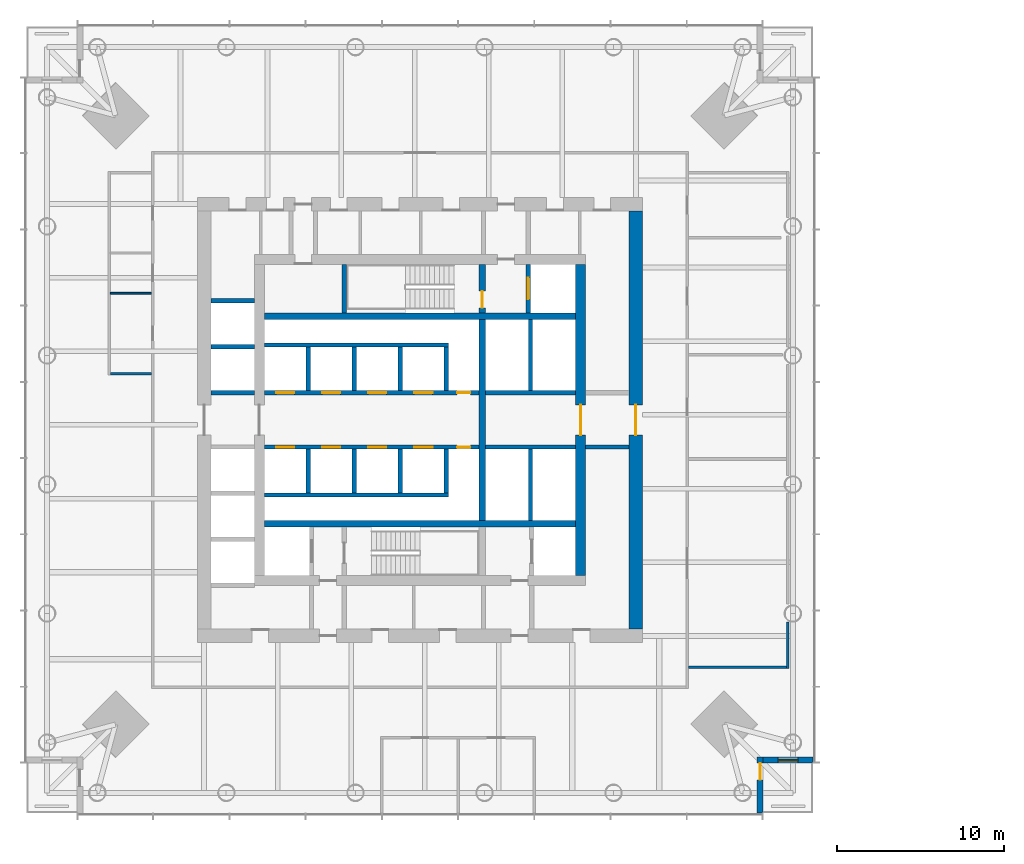
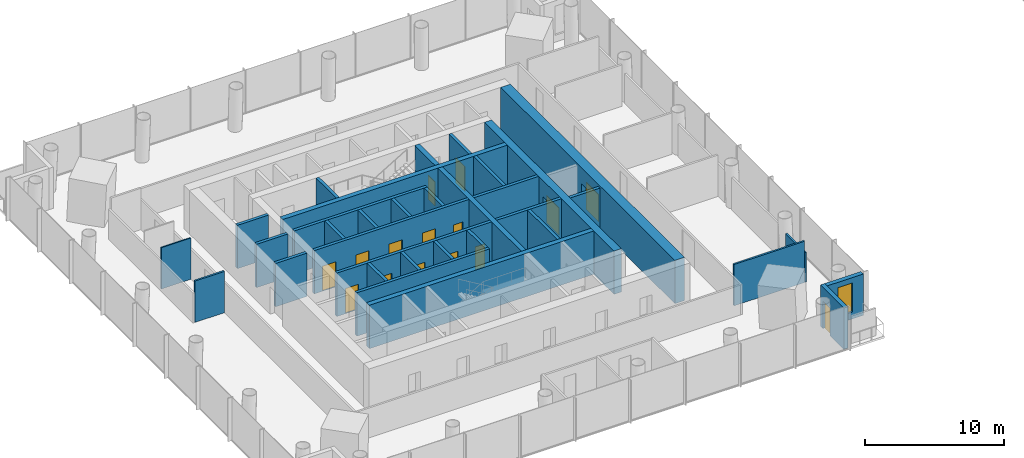
# One storey, part 10 of 18: 34 walls, 15 doors, 1 window, 16 openings.
"""IFC4 building model written with IfcOpenShell, lengths in metres."""

from ifc_helpers import new_model, si_unit, direction, frame, frame_2d, origin, place, context, subcontext, project, spatial, rectangle, extrude, material, layer, layer_set, type_object, element, fill, save


model = new_model("IFC4")

# Units and contexts
model_context = context("Model", 3, precision=1e-05, world=origin(), true_north=direction((0.0, 1.0)))
body_context = subcontext(model_context, "Body", "Model", "MODEL_VIEW")
ifc_project = project(units=[si_unit("LENGTHUNIT", "METRE"), si_unit("AREAUNIT", "SQUARE_METRE"), si_unit("VOLUMEUNIT", "CUBIC_METRE"), si_unit("PLANEANGLEUNIT", "RADIAN"), si_unit("MASSUNIT", "GRAM", prefix="KILO")], contexts=[model_context])

# Site, building, storey
site_placement = place(None, origin())
site = spatial("IfcSite", under=ifc_project, at=site_placement, CompositionType="ELEMENT")
building_placement = place(site_placement, origin())
building = spatial("IfcBuilding", under=site, at=building_placement, Name="Ostroluk Exchange", CompositionType="ELEMENT")
storey_placement = place(building_placement, frame((0.0, 0.0, 74.199951171875)))
storey = spatial("IfcBuildingStorey", under=building, at=storey_placement, Name="L18", CompositionType="ELEMENT", Elevation=74.199951171875)

# Walls
ifc_material_1 = material(Name="Concrete blockwork", Category="masonry")
ifc_layer_1 = layer(ifc_material_1, 0.10009765625)
ifc_layer_set_1 = layer_set([ifc_layer_1], Name="Blockwork WC wall 100")
wall_type_1 = type_object("IfcWallType", Name="Blockwork WC wall 100", PredefinedType="SOLIDWALL", material=ifc_layer_set_1)
wall_1_placement = place(storey_placement, frame((28.949951171875, 53.574951171875, 0.0), z_axis=(0.0, 0.0, 1.0), x_axis=(-1.0, 0.0, 0.0)))
element("IfcWall", 1, at=wall_1_placement, inside=storey, type_object=wall_type_1, Name="Blockwork WC wall", PredefinedType="SOLIDWALL", context=body_context, shape_type="SweptSolid", body=[
    extrude(rectangle(XDim=2.449951171875, YDim=0.10009765625, at=frame_2d((1.22509765625, 0.0))), origin(), (0.0, 0.0, 1.0), 3.6201171875),
])
ifc_material_2 = material(Name="Concrete blockwork", Category="masonry")
ifc_layer_2 = layer(ifc_material_2, 0.25)
ifc_layer_set_2 = layer_set([ifc_layer_2], Name="Blockwork stair enclosure wall 250")
wall_type_2 = type_object("IfcWallType", Name="Blockwork stair enclosure wall 250", PredefinedType="SOLIDWALL", material=ifc_layer_set_2)
wall_2_placement = place(storey_placement, frame((54.89990234375, 44.375, 0.0), z_axis=(0.0, 0.0, 1.0), x_axis=(1.0, 0.0, 0.0)))
element("IfcWall", 2, at=wall_2_placement, inside=storey, type_object=wall_type_2, Name="Lift lobby enclosure wall", PredefinedType="SOLIDWALL", context=body_context, shape_type="SweptSolid", body=[
    extrude(rectangle(XDim=2.60009765625, YDim=0.25, at=frame_2d((1.300048828125, 0.0))), origin(), (0.0, 0.0, 1.0), 3.6201171875),
])
ifc_material_3 = material(Name="Concrete C50/60", Category="concrete")
ifc_layer_3 = layer(ifc_material_3, 0.39990234375)
ifc_layer_set_3 = layer_set([ifc_layer_3], Name="Core cross wall 400 C50/60")
wall_type_3 = type_object("IfcWallType", Name="Core cross wall 400 C50/60", PredefinedType="SHEAR", material=ifc_layer_set_3)
for number, where, z_axis, x_axis, name in (
    (3, (35.699951171875, 39.800048828125, 0.0), (0.0, 0.0, 1.0), (1.0, 0.0, 0.0), "T1 core wall XS"),
    (4, (35.699951171875, 52.199951171875, 0.0), (0.0, 0.0, 1.0), (1.0, 0.0, 0.0), "T1 core wall XN"),
):
    element("IfcWall", number, at=place(storey_placement, frame(where, z_axis=z_axis, x_axis=x_axis)), inside=storey, type_object=wall_type_3, Name=name, PredefinedType="SHEAR", context=body_context, shape_type="SweptSolid", body=[
        extrude(rectangle(XDim=18.60009765625, YDim=0.39990234375, at=frame_2d((9.300048828125, 0.0))), origin(), (0.0, 0.0, 1.0), 3.800048828125),
    ])
wall_3_placement = place(storey_placement, frame((48.72998046875, 40.0, 0.0), z_axis=(0.0, 0.0, 1.0), x_axis=(0.0, 1.0, 0.0)))
element("IfcWall", 5, at=wall_3_placement, inside=storey, type_object=wall_type_3, Name="T1 core wall YE2", PredefinedType="SHEAR", context=body_context, shape_type="SweptSolid", body=[
    extrude(rectangle(XDim=12.0, YDim=0.39990234375, at=frame_2d((6.0, 0.0))), origin(), (0.0, 0.0, 1.0), 3.800048828125),
])

# Wall, opening, door
wall_4_placement = place(storey_placement, frame((48.72998046875, 52.39990234375, 0.0), z_axis=(0.0, 0.0, 1.0), x_axis=(0.0, 1.0, 0.0)))
wall_4 = element("IfcWall", 6, at=wall_4_placement, inside=storey, type_object=wall_type_3, Name="T1 core wall YE3", PredefinedType="SHEAR", context=body_context, shape_type="SweptSolid", body=[
    extrude(rectangle(XDim=2.900146484375, YDim=0.39990234375, at=frame_2d((1.4501953125, 0.0))), origin(), (0.0, 0.0, 1.0), 3.800048828125),
])
opening_1_placement = place(wall_4_placement, frame((0.300048828125, 0.0, 0.0)))
opening_1 = element("IfcOpeningElement", 7, at=opening_1_placement, cuts=wall_4, Name="Opening FD60", PredefinedType="OPENING", context=body_context, shape_type="SweptSolid", body=[
    extrude(rectangle(XDim=1.0, YDim=2.10009765625, at=frame_2d((0.5, 1.050048828125))), frame((0.0, 0.2099609375, 0.0), z_axis=(0.0, -1.0, 0.0), x_axis=(1.0, 0.0, 0.0)), (0.0, 0.0, 1.0), 0.419921875),
])
ifc_material_4 = material(Name="Steel", Category="steel")
door_type_1 = type_object("IfcDoorType", Name="Fire door EI 60 1000 x 2100", OperationType="SINGLE_SWING_LEFT", PredefinedType="DOOR", material=ifc_material_4)
door_1_placement = place(opening_1_placement, origin())
door_1 = element("IfcDoor", 8, at=door_1_placement, inside=storey, type_object=door_type_1, Name="Stair T1-S2 door", OperationType="SINGLE_SWING_LEFT", OverallHeight=2.10009765625, OverallWidth=1.0, PredefinedType="DOOR", context=body_context, shape_type="SweptSolid", body=[
    extrude(rectangle(XDim=1.0, YDim=2.10009765625, at=frame_2d((0.5, 1.050048828125))), frame((0.0, 0.02490234375, 0.0), z_axis=(0.0, -1.0, 0.0), x_axis=(1.0, 0.0, 0.0)), (0.0, 0.0, 1.0), 0.050048828125),
])
fill(opening_1, door_1)

# Wall
ifc_material_5 = material(Name="Concrete C40/50", Category="concrete")
ifc_layer_4 = layer(ifc_material_5, 0.25)
ifc_layer_set_4 = layer_set([ifc_layer_4], Name="Core shaft wall 250")
wall_type_4 = type_object("IfcWallType", Name="Core shaft wall 250", PredefinedType="SHEAR", material=ifc_layer_set_4)
wall_5_placement = place(storey_placement, frame((40.47509765625, 52.39990234375, 0.0), z_axis=(0.0, 0.0, 1.0), x_axis=(0.0, 1.0, 0.0)))
element("IfcWall", 9, at=wall_5_placement, inside=storey, type_object=wall_type_4, Name="Stair shaft wall", PredefinedType="SHEAR", context=body_context, shape_type="SweptSolid", body=[
    extrude(rectangle(XDim=2.900146484375, YDim=0.25, at=frame_2d((1.4501953125, 0.0))), origin(), (0.0, 0.0, 1.0), 3.800048828125),
])

# Wall, opening, door
wall_6_placement = place(storey_placement, frame((51.47509765625, 52.39990234375, 0.0), z_axis=(0.0, 0.0, 1.0), x_axis=(0.0, 1.0, 0.0)))
wall_6 = element("IfcWall", 10, at=wall_6_placement, inside=storey, type_object=wall_type_4, Name="Firefighting lift shaft wall", PredefinedType="SHEAR", context=body_context, shape_type="SweptSolid", body=[
    extrude(rectangle(XDim=2.900146484375, YDim=0.25, at=frame_2d((1.4501953125, 0.0))), origin(), (0.0, 0.0, 1.0), 3.800048828125),
])
opening_2_placement = place(wall_6_placement, frame((0.800048828125, 0.0, 0.0)))
opening_2 = element("IfcOpeningElement", 11, at=opening_2_placement, cuts=wall_6, Name="Opening LD2", PredefinedType="OPENING", context=body_context, shape_type="SweptSolid", body=[
    extrude(rectangle(XDim=1.300048828125, YDim=2.199951171875, at=frame_2d((0.64990234375, 1.10009765625))), frame((0.0, 0.135009765625, 0.0), z_axis=(0.0, -1.0, 0.0), x_axis=(1.0, 0.0, 0.0)), (0.0, 0.0, 1.0), 0.27001953125),
])
ifc_material_6 = material(Name="Stainless steel", Category="steel")
door_type_2 = type_object("IfcDoorType", Name="Lift landing door E 60 1300 x 2200", OperationType="DOUBLE_DOOR_SLIDING", PredefinedType="DOOR", material=ifc_material_6)
door_2_placement = place(opening_2_placement, origin())
door_2 = element("IfcDoor", 12, at=door_2_placement, inside=storey, type_object=door_type_2, Name="Lift FL2 landing door", OperationType="DOUBLE_DOOR_SLIDING", OverallHeight=2.199951171875, OverallWidth=1.300048828125, PredefinedType="DOOR", context=body_context, shape_type="SweptSolid", body=[
    extrude(rectangle(XDim=1.300048828125, YDim=2.199951171875, at=frame_2d((0.64990234375, 1.10009765625))), frame((0.0, 0.02490234375, 0.0), z_axis=(0.0, -1.0, 0.0), x_axis=(1.0, 0.0, 0.0)), (0.0, 0.0, 1.0), 0.050048828125),
])
fill(opening_2, door_2)

# Walls
for number, where, z_axis, x_axis, name in (
    (13, (38.324951171875, 47.75, 0.0), (0.0, 0.0, 1.0), (0.0, 1.0, 0.0), "Lift shaft wall"),
    (14, (41.074951171875, 47.75, 0.0), (0.0, 0.0, 1.0), (0.0, 1.0, 0.0), "Lift shaft wall"),
    (15, (43.824951171875, 47.75, 0.0), (0.0, 0.0, 1.0), (0.0, 1.0, 0.0), "Lift shaft wall"),
    (16, (46.574951171875, 47.75, 0.0), (0.0, 0.0, 1.0), (0.0, 1.0, 0.0), "Lift shaft wall"),
):
    element("IfcWall", number, at=place(storey_placement, frame(where, z_axis=z_axis, x_axis=x_axis)), inside=storey, type_object=wall_type_4, Name=name, PredefinedType="SHEAR", context=body_context, shape_type="SweptSolid", body=[
        extrude(rectangle(XDim=2.60009765625, YDim=0.25, at=frame_2d((1.300048828125, 0.0))), origin(), (0.0, 0.0, 1.0), 3.800048828125),
    ])
wall_7_placement = place(storey_placement, frame((35.699951171875, 50.47509765625, 0.0), z_axis=(0.0, 0.0, 1.0), x_axis=(1.0, 0.0, 0.0)))
element("IfcWall", 17, at=wall_7_placement, inside=storey, type_object=wall_type_4, Name="Lift shaft wall", PredefinedType="SHEAR", context=body_context, shape_type="SweptSolid", body=[
    extrude(rectangle(XDim=11.0, YDim=0.25, at=frame_2d((5.5, 0.0))), origin(), (0.0, 0.0, 1.0), 3.800048828125),
])

# Wall, openings, doors
wall_8_placement = place(storey_placement, frame((35.699951171875, 47.625, 0.0), z_axis=(0.0, 0.0, 1.0), x_axis=(1.0, 0.0, 0.0)))
wall_8 = element("IfcWall", 18, at=wall_8_placement, inside=storey, type_object=wall_type_4, Name="Lift shaft front wall", PredefinedType="SHEAR", context=body_context, shape_type="SweptSolid", body=[
    extrude(rectangle(XDim=12.830078125, YDim=0.25, at=frame_2d((6.4150390625, 0.0))), origin(), (0.0, 0.0, 1.0), 3.800048828125),
])
opening_3_placement = place(wall_8_placement, frame((0.699951171875, 0.0, 0.0)))
opening_3 = element("IfcOpeningElement", 19, at=opening_3_placement, cuts=wall_8, Name="Opening LD", PredefinedType="OPENING", context=body_context, shape_type="SweptSolid", body=[
    extrude(rectangle(XDim=1.10009765625, YDim=2.199951171875, at=frame_2d((0.550048828125, 1.10009765625))), frame((0.0, 0.135009765625, 0.0), z_axis=(0.0, -1.0, 0.0), x_axis=(1.0, 0.0, 0.0)), (0.0, 0.0, 1.0), 0.27001953125),
])
opening_4_placement = place(wall_8_placement, frame((3.449951171875, 0.0, 0.0)))
opening_4 = element("IfcOpeningElement", 20, at=opening_4_placement, cuts=wall_8, Name="Opening LD", PredefinedType="OPENING", context=body_context, shape_type="SweptSolid", body=[
    extrude(rectangle(XDim=1.10009765625, YDim=2.199951171875, at=frame_2d((0.550048828125, 1.10009765625))), frame((0.0, 0.135009765625, 0.0), z_axis=(0.0, -1.0, 0.0), x_axis=(1.0, 0.0, 0.0)), (0.0, 0.0, 1.0), 0.27001953125),
])
opening_5_placement = place(wall_8_placement, frame((6.199951171875, 0.0, 0.0)))
opening_5 = element("IfcOpeningElement", 21, at=opening_5_placement, cuts=wall_8, Name="Opening LD", PredefinedType="OPENING", context=body_context, shape_type="SweptSolid", body=[
    extrude(rectangle(XDim=1.10009765625, YDim=2.199951171875, at=frame_2d((0.550048828125, 1.10009765625))), frame((0.0, 0.135009765625, 0.0), z_axis=(0.0, -1.0, 0.0), x_axis=(1.0, 0.0, 0.0)), (0.0, 0.0, 1.0), 0.27001953125),
])
opening_6_placement = place(wall_8_placement, frame((8.949951171875, 0.0, 0.0)))
opening_6 = element("IfcOpeningElement", 22, at=opening_6_placement, cuts=wall_8, Name="Opening LD", PredefinedType="OPENING", context=body_context, shape_type="SweptSolid", body=[
    extrude(rectangle(XDim=1.10009765625, YDim=2.199951171875, at=frame_2d((0.550048828125, 1.10009765625))), frame((0.0, 0.135009765625, 0.0), z_axis=(0.0, -1.0, 0.0), x_axis=(1.0, 0.0, 0.0)), (0.0, 0.0, 1.0), 0.27001953125),
])
opening_7_placement = place(wall_8_placement, frame((11.514892578125, 0.0, 0.0)))
opening_7 = element("IfcOpeningElement", 23, at=opening_7_placement, cuts=wall_8, Name="Opening RD60", PredefinedType="OPENING", context=body_context, shape_type="SweptSolid", body=[
    extrude(rectangle(XDim=0.800048828125, YDim=2.0, at=frame_2d((0.39990234375, 1.0))), frame((0.0, 0.135009765625, 0.0), z_axis=(0.0, -1.0, 0.0), x_axis=(1.0, 0.0, 0.0)), (0.0, 0.0, 1.0), 0.27001953125),
])
ifc_material_7 = material(Name="Stainless steel", Category="steel")
door_type_3 = type_object("IfcDoorType", Name="Lift landing door E 60 1100 x 2200", OperationType="DOUBLE_DOOR_SLIDING", PredefinedType="DOOR", material=ifc_material_7)
door_3_placement = place(opening_3_placement, origin())
door_3 = element("IfcDoor", 24, at=door_3_placement, inside=storey, type_object=door_type_3, Name="Lift PL-L1 landing door", OperationType="DOUBLE_DOOR_SLIDING", OverallHeight=2.199951171875, OverallWidth=1.10009765625, PredefinedType="DOOR", context=body_context, shape_type="SweptSolid", body=[
    extrude(rectangle(XDim=1.10009765625, YDim=2.199951171875, at=frame_2d((0.550048828125, 1.10009765625))), frame((0.0, 0.02490234375, 0.0), z_axis=(0.0, -1.0, 0.0), x_axis=(1.0, 0.0, 0.0)), (0.0, 0.0, 1.0), 0.050048828125),
])
fill(opening_3, door_3)
door_4_placement = place(opening_4_placement, origin())
door_4 = element("IfcDoor", 25, at=door_4_placement, inside=storey, type_object=door_type_3, Name="Lift PL-L2 landing door", OperationType="DOUBLE_DOOR_SLIDING", OverallHeight=2.199951171875, OverallWidth=1.10009765625, PredefinedType="DOOR", context=body_context, shape_type="SweptSolid", body=[
    extrude(rectangle(XDim=1.10009765625, YDim=2.199951171875, at=frame_2d((0.550048828125, 1.10009765625))), frame((0.0, 0.02490234375, 0.0), z_axis=(0.0, -1.0, 0.0), x_axis=(1.0, 0.0, 0.0)), (0.0, 0.0, 1.0), 0.050048828125),
])
fill(opening_4, door_4)
door_5_placement = place(opening_5_placement, origin())
door_5 = element("IfcDoor", 26, at=door_5_placement, inside=storey, type_object=door_type_3, Name="Lift PL-L3 landing door", OperationType="DOUBLE_DOOR_SLIDING", OverallHeight=2.199951171875, OverallWidth=1.10009765625, PredefinedType="DOOR", context=body_context, shape_type="SweptSolid", body=[
    extrude(rectangle(XDim=1.10009765625, YDim=2.199951171875, at=frame_2d((0.550048828125, 1.10009765625))), frame((0.0, 0.02490234375, 0.0), z_axis=(0.0, -1.0, 0.0), x_axis=(1.0, 0.0, 0.0)), (0.0, 0.0, 1.0), 0.050048828125),
])
fill(opening_5, door_5)
door_6_placement = place(opening_6_placement, origin())
door_6 = element("IfcDoor", 27, at=door_6_placement, inside=storey, type_object=door_type_3, Name="Lift PL-L4 landing door", OperationType="DOUBLE_DOOR_SLIDING", OverallHeight=2.199951171875, OverallWidth=1.10009765625, PredefinedType="DOOR", context=body_context, shape_type="SweptSolid", body=[
    extrude(rectangle(XDim=1.10009765625, YDim=2.199951171875, at=frame_2d((0.550048828125, 1.10009765625))), frame((0.0, 0.02490234375, 0.0), z_axis=(0.0, -1.0, 0.0), x_axis=(1.0, 0.0, 0.0)), (0.0, 0.0, 1.0), 0.050048828125),
])
fill(opening_6, door_6)
ifc_material_8 = material(Name="Steel", Category="steel")
door_type_4 = type_object("IfcDoorType", Name="Riser access door EI 60 800 x 2000", OperationType="SINGLE_SWING_LEFT", PredefinedType="DOOR", material=ifc_material_8)
door_7_placement = place(opening_7_placement, origin())
door_7 = element("IfcDoor", 28, at=door_7_placement, inside=storey, type_object=door_type_4, Name="Riser access door", OperationType="SINGLE_SWING_RIGHT", OverallHeight=2.0, OverallWidth=0.800048828125, PredefinedType="DOOR", context=body_context, shape_type="SweptSolid", body=[
    extrude(rectangle(XDim=0.800048828125, YDim=2.0, at=frame_2d((0.39990234375, 1.0))), frame((0.0, 0.02490234375, 0.0), z_axis=(0.0, -1.0, 0.0), x_axis=(1.0, 0.0, 0.0)), (0.0, 0.0, 1.0), 0.050048828125),
])
fill(opening_7, door_7)

# Walls
for number, where, z_axis, x_axis, name in (
    (29, (38.324951171875, 44.25, 0.0), (0.0, 0.0, 1.0), (0.0, -1.0, 0.0), "Lift shaft wall"),
    (30, (41.074951171875, 44.25, 0.0), (0.0, 0.0, 1.0), (0.0, -1.0, 0.0), "Lift shaft wall"),
    (31, (43.824951171875, 44.25, 0.0), (0.0, 0.0, 1.0), (0.0, -1.0, 0.0), "Lift shaft wall"),
    (32, (46.574951171875, 44.25, 0.0), (0.0, 0.0, 1.0), (0.0, -1.0, 0.0), "Lift shaft wall"),
):
    element("IfcWall", number, at=place(storey_placement, frame(where, z_axis=z_axis, x_axis=x_axis)), inside=storey, type_object=wall_type_4, Name=name, PredefinedType="SHEAR", context=body_context, shape_type="SweptSolid", body=[
        extrude(rectangle(XDim=2.60009765625, YDim=0.25, at=frame_2d((1.300048828125, 0.0))), origin(), (0.0, 0.0, 1.0), 3.800048828125),
    ])
wall_9_placement = place(storey_placement, frame((35.699951171875, 41.52490234375, 0.0), z_axis=(0.0, 0.0, 1.0), x_axis=(1.0, 0.0, 0.0)))
element("IfcWall", 33, at=wall_9_placement, inside=storey, type_object=wall_type_4, Name="Lift shaft wall", PredefinedType="SHEAR", context=body_context, shape_type="SweptSolid", body=[
    extrude(rectangle(XDim=11.0, YDim=0.25, at=frame_2d((5.5, 0.0))), origin(), (0.0, 0.0, 1.0), 3.800048828125),
])

# Wall, openings, doors
wall_10_placement = place(storey_placement, frame((35.699951171875, 44.375, 0.0), z_axis=(0.0, 0.0, 1.0), x_axis=(1.0, 0.0, 0.0)))
wall_10 = element("IfcWall", 34, at=wall_10_placement, inside=storey, type_object=wall_type_4, Name="Lift shaft front wall", PredefinedType="SHEAR", context=body_context, shape_type="SweptSolid", body=[
    extrude(rectangle(XDim=12.830078125, YDim=0.25, at=frame_2d((6.4150390625, 0.0))), origin(), (0.0, 0.0, 1.0), 3.800048828125),
])
opening_8_placement = place(wall_10_placement, frame((0.699951171875, 0.0, 0.0)))
opening_8 = element("IfcOpeningElement", 35, at=opening_8_placement, cuts=wall_10, Name="Opening LD", PredefinedType="OPENING", context=body_context, shape_type="SweptSolid", body=[
    extrude(rectangle(XDim=1.10009765625, YDim=2.199951171875, at=frame_2d((0.550048828125, 1.10009765625))), frame((0.0, 0.135009765625, 0.0), z_axis=(0.0, -1.0, 0.0), x_axis=(1.0, 0.0, 0.0)), (0.0, 0.0, 1.0), 0.27001953125),
])
opening_9_placement = place(wall_10_placement, frame((3.449951171875, 0.0, 0.0)))
opening_9 = element("IfcOpeningElement", 36, at=opening_9_placement, cuts=wall_10, Name="Opening LD", PredefinedType="OPENING", context=body_context, shape_type="SweptSolid", body=[
    extrude(rectangle(XDim=1.10009765625, YDim=2.199951171875, at=frame_2d((0.550048828125, 1.10009765625))), frame((0.0, 0.135009765625, 0.0), z_axis=(0.0, -1.0, 0.0), x_axis=(1.0, 0.0, 0.0)), (0.0, 0.0, 1.0), 0.27001953125),
])
opening_10_placement = place(wall_10_placement, frame((6.199951171875, 0.0, 0.0)))
opening_10 = element("IfcOpeningElement", 37, at=opening_10_placement, cuts=wall_10, Name="Opening LD", PredefinedType="OPENING", context=body_context, shape_type="SweptSolid", body=[
    extrude(rectangle(XDim=1.10009765625, YDim=2.199951171875, at=frame_2d((0.550048828125, 1.10009765625))), frame((0.0, 0.135009765625, 0.0), z_axis=(0.0, -1.0, 0.0), x_axis=(1.0, 0.0, 0.0)), (0.0, 0.0, 1.0), 0.27001953125),
])
opening_11_placement = place(wall_10_placement, frame((8.949951171875, 0.0, 0.0)))
opening_11 = element("IfcOpeningElement", 38, at=opening_11_placement, cuts=wall_10, Name="Opening LD", PredefinedType="OPENING", context=body_context, shape_type="SweptSolid", body=[
    extrude(rectangle(XDim=1.10009765625, YDim=2.199951171875, at=frame_2d((0.550048828125, 1.10009765625))), frame((0.0, 0.135009765625, 0.0), z_axis=(0.0, -1.0, 0.0), x_axis=(1.0, 0.0, 0.0)), (0.0, 0.0, 1.0), 0.27001953125),
])
opening_12_placement = place(wall_10_placement, frame((11.514892578125, 0.0, 0.0)))
opening_12 = element("IfcOpeningElement", 39, at=opening_12_placement, cuts=wall_10, Name="Opening RD60", PredefinedType="OPENING", context=body_context, shape_type="SweptSolid", body=[
    extrude(rectangle(XDim=0.800048828125, YDim=2.0, at=frame_2d((0.39990234375, 1.0))), frame((0.0, 0.135009765625, 0.0), z_axis=(0.0, -1.0, 0.0), x_axis=(1.0, 0.0, 0.0)), (0.0, 0.0, 1.0), 0.27001953125),
])
door_8_placement = place(opening_8_placement, origin())
door_8 = element("IfcDoor", 40, at=door_8_placement, inside=storey, type_object=door_type_3, Name="Lift PL-L5 landing door", OperationType="DOUBLE_DOOR_SLIDING", OverallHeight=2.199951171875, OverallWidth=1.10009765625, PredefinedType="DOOR", context=body_context, shape_type="SweptSolid", body=[
    extrude(rectangle(XDim=1.10009765625, YDim=2.199951171875, at=frame_2d((0.550048828125, 1.10009765625))), frame((0.0, 0.02490234375, 0.0), z_axis=(0.0, -1.0, 0.0), x_axis=(1.0, 0.0, 0.0)), (0.0, 0.0, 1.0), 0.050048828125),
])
fill(opening_8, door_8)
door_9_placement = place(opening_9_placement, origin())
door_9 = element("IfcDoor", 41, at=door_9_placement, inside=storey, type_object=door_type_3, Name="Lift PL-L6 landing door", OperationType="DOUBLE_DOOR_SLIDING", OverallHeight=2.199951171875, OverallWidth=1.10009765625, PredefinedType="DOOR", context=body_context, shape_type="SweptSolid", body=[
    extrude(rectangle(XDim=1.10009765625, YDim=2.199951171875, at=frame_2d((0.550048828125, 1.10009765625))), frame((0.0, 0.02490234375, 0.0), z_axis=(0.0, -1.0, 0.0), x_axis=(1.0, 0.0, 0.0)), (0.0, 0.0, 1.0), 0.050048828125),
])
fill(opening_9, door_9)
door_10_placement = place(opening_10_placement, origin())
door_10 = element("IfcDoor", 42, at=door_10_placement, inside=storey, type_object=door_type_3, Name="Lift PL-L7 landing door", OperationType="DOUBLE_DOOR_SLIDING", OverallHeight=2.199951171875, OverallWidth=1.10009765625, PredefinedType="DOOR", context=body_context, shape_type="SweptSolid", body=[
    extrude(rectangle(XDim=1.10009765625, YDim=2.199951171875, at=frame_2d((0.550048828125, 1.10009765625))), frame((0.0, 0.02490234375, 0.0), z_axis=(0.0, -1.0, 0.0), x_axis=(1.0, 0.0, 0.0)), (0.0, 0.0, 1.0), 0.050048828125),
])
fill(opening_10, door_10)
door_11_placement = place(opening_11_placement, origin())
door_11 = element("IfcDoor", 43, at=door_11_placement, inside=storey, type_object=door_type_3, Name="Lift PL-L8 landing door", OperationType="DOUBLE_DOOR_SLIDING", OverallHeight=2.199951171875, OverallWidth=1.10009765625, PredefinedType="DOOR", context=body_context, shape_type="SweptSolid", body=[
    extrude(rectangle(XDim=1.10009765625, YDim=2.199951171875, at=frame_2d((0.550048828125, 1.10009765625))), frame((0.0, 0.02490234375, 0.0), z_axis=(0.0, -1.0, 0.0), x_axis=(1.0, 0.0, 0.0)), (0.0, 0.0, 1.0), 0.050048828125),
])
fill(opening_11, door_11)
door_12_placement = place(opening_12_placement, origin())
door_12 = element("IfcDoor", 44, at=door_12_placement, inside=storey, type_object=door_type_4, Name="Riser access door", OperationType="SINGLE_SWING_RIGHT", OverallHeight=2.0, OverallWidth=0.800048828125, PredefinedType="DOOR", context=body_context, shape_type="SweptSolid", body=[
    extrude(rectangle(XDim=0.800048828125, YDim=2.0, at=frame_2d((0.39990234375, 1.0))), frame((0.0, 0.02490234375, 0.0), z_axis=(0.0, -1.0, 0.0), x_axis=(1.0, 0.0, 0.0)), (0.0, 0.0, 1.0), 0.050048828125),
])
fill(opening_12, door_12)

# Walls
wall_11_placement = place(storey_placement, frame((51.614990234375, 47.75, 0.0), z_axis=(0.0, 0.0, 1.0), x_axis=(0.0, 1.0, 0.0)))
element("IfcWall", 45, at=wall_11_placement, inside=storey, type_object=wall_type_4, Name="Lift shaft wall", PredefinedType="SHEAR", context=body_context, shape_type="SweptSolid", body=[
    extrude(rectangle(XDim=4.25, YDim=0.25, at=frame_2d((2.125, 0.0))), origin(), (0.0, 0.0, 1.0), 3.800048828125),
])
wall_12_placement = place(storey_placement, frame((48.929931640625, 47.625, 0.0), z_axis=(0.0, 0.0, 1.0), x_axis=(1.0, 0.0, 0.0)))
element("IfcWall", 46, at=wall_12_placement, inside=storey, type_object=wall_type_4, Name="Lift shaft front wall", PredefinedType="SHEAR", context=body_context, shape_type="SweptSolid", body=[
    extrude(rectangle(XDim=5.3701171875, YDim=0.25, at=frame_2d((2.68505859375, 0.0))), origin(), (0.0, 0.0, 1.0), 3.800048828125),
])
wall_13_placement = place(storey_placement, frame((51.614990234375, 44.25, 0.0), z_axis=(0.0, 0.0, 1.0), x_axis=(0.0, -1.0, 0.0)))
element("IfcWall", 47, at=wall_13_placement, inside=storey, type_object=wall_type_4, Name="Lift shaft wall", PredefinedType="SHEAR", context=body_context, shape_type="SweptSolid", body=[
    extrude(rectangle(XDim=4.25, YDim=0.25, at=frame_2d((2.125, 0.0))), origin(), (0.0, 0.0, 1.0), 3.800048828125),
])
wall_14_placement = place(storey_placement, frame((48.929931640625, 44.375, 0.0), z_axis=(0.0, 0.0, 1.0), x_axis=(1.0, 0.0, 0.0)))
element("IfcWall", 48, at=wall_14_placement, inside=storey, type_object=wall_type_4, Name="Lift shaft front wall", PredefinedType="SHEAR", context=body_context, shape_type="SweptSolid", body=[
    extrude(rectangle(XDim=5.3701171875, YDim=0.25, at=frame_2d((2.68505859375, 0.0))), origin(), (0.0, 0.0, 1.0), 3.800048828125),
])
for number, where, z_axis, x_axis, name in (
    (49, (32.5, 47.625, 0.0), (0.0, 0.0, 1.0), (1.0, 0.0, 0.0), "Lift shaft wall"),
    (50, (32.5, 50.375, 0.0), (0.0, 0.0, 1.0), (1.0, 0.0, 0.0), "Lift shaft wall"),
    (51, (32.5, 53.125, 0.0), (0.0, 0.0, 1.0), (1.0, 0.0, 0.0), "Lift shaft wall"),
):
    element("IfcWall", number, at=place(storey_placement, frame(where, z_axis=z_axis, x_axis=x_axis)), inside=storey, type_object=wall_type_4, Name=name, PredefinedType="SHEAR", context=body_context, shape_type="SweptSolid", body=[
        extrude(rectangle(XDim=2.60009765625, YDim=0.25, at=frame_2d((1.300048828125, 0.0))), origin(), (0.0, 0.0, 1.0), 3.800048828125),
    ])

# Wall, opening, door
ifc_material_9 = material(Name="Concrete C50/60", Category="concrete")
ifc_layer_5 = layer(ifc_material_9, 0.60009765625)
ifc_layer_set_5 = layer_set([ifc_layer_5], Name="Core wall 600 C50/60")
wall_type_5 = type_object("IfcWallType", Name="Core wall 600 C50/60", PredefinedType="SHEAR", material=ifc_layer_set_5)
wall_15_placement = place(storey_placement, frame((54.60009765625, 36.699951171875, 0.0), z_axis=(0.0, 0.0, 1.0), x_axis=(0.0, 1.0, 0.0)))
wall_15 = element("IfcWall", 52, at=wall_15_placement, inside=storey, type_object=wall_type_5, Name="T1 core wall E", PredefinedType="SHEAR", context=body_context, shape_type="SweptSolid", body=[
    extrude(rectangle(XDim=18.60009765625, YDim=0.60009765625, at=frame_2d((9.300048828125, 0.0))), origin(), (0.0, 0.0, 1.0), 3.800048828125),
])
opening_13_placement = place(wall_15_placement, frame((8.39990234375, 0.0, 0.0)))
opening_13 = element("IfcOpeningElement", 53, at=opening_13_placement, cuts=wall_15, Name="Opening FD30D", PredefinedType="OPENING", context=body_context, shape_type="SweptSolid", body=[
    extrude(rectangle(XDim=1.800048828125, YDim=2.39990234375, at=frame_2d((0.89990234375, 1.199951171875))), frame((0.0, 0.31005859375, 0.0), z_axis=(0.0, -1.0, 0.0), x_axis=(1.0, 0.0, 0.0)), (0.0, 0.0, 1.0), 0.6201171875),
])
ifc_material_10 = material(Name="Timber", Category="wood")
door_type_5 = type_object("IfcDoorType", Name="Lobby double door EI 30 1800 x 2400", OperationType="DOUBLE_DOOR_SINGLE_SWING", PredefinedType="DOOR", material=ifc_material_10)
door_13_placement = place(opening_13_placement, origin())
door_13 = element("IfcDoor", 54, at=door_13_placement, inside=storey, type_object=door_type_5, Name="Lift lobby doors", OperationType="DOUBLE_DOOR_SINGLE_SWING", OverallHeight=2.39990234375, OverallWidth=1.800048828125, PredefinedType="DOOR", context=body_context, shape_type="SweptSolid", body=[
    extrude(rectangle(XDim=1.800048828125, YDim=2.39990234375, at=frame_2d((0.89990234375, 1.199951171875))), frame((0.0, 0.02490234375, 0.0), z_axis=(0.0, -1.0, 0.0), x_axis=(1.0, 0.0, 0.0)), (0.0, 0.0, 1.0), 0.050048828125),
])
fill(opening_13, door_13)

ifc_material_11 = material(Name="Concrete C50/60", Category="concrete")
ifc_layer_6 = layer(ifc_material_11, 0.800048828125)
ifc_layer_set_6 = layer_set([ifc_layer_6], Name="Core wall 800 C50/60")
wall_type_6 = type_object("IfcWallType", Name="Core wall 800 C50/60", PredefinedType="SHEAR", material=ifc_layer_set_6)
wall_16_placement = place(storey_placement, frame((57.89990234375, 33.5, 0.0), z_axis=(0.0, 0.0, 1.0), x_axis=(0.0, 1.0, 0.0)))
wall_16 = element("IfcWall", 55, at=wall_16_placement, inside=storey, type_object=wall_type_6, Name="T1 core wall RE", PredefinedType="SHEAR", context=body_context, shape_type="SweptSolid", body=[
    extrude(rectangle(XDim=25.0, YDim=0.800048828125, at=frame_2d((12.5, 0.0))), origin(), (0.0, 0.0, 1.0), 3.800048828125),
])
opening_14_placement = place(wall_16_placement, frame((11.60009765625, 0.0, 0.0)))
opening_14 = element("IfcOpeningElement", 56, at=opening_14_placement, cuts=wall_16, Name="Opening FD30D", PredefinedType="OPENING", context=body_context, shape_type="SweptSolid", body=[
    extrude(rectangle(XDim=1.800048828125, YDim=2.39990234375, at=frame_2d((0.89990234375, 1.199951171875))), frame((0.0, 0.409912109375, 0.0), z_axis=(0.0, -1.0, 0.0), x_axis=(1.0, 0.0, 0.0)), (0.0, 0.0, 1.0), 0.820068359375),
])
door_14_placement = place(opening_14_placement, origin())
door_14 = element("IfcDoor", 57, at=door_14_placement, inside=storey, type_object=door_type_5, Name="Lift lobby doors", OperationType="DOUBLE_DOOR_SINGLE_SWING", OverallHeight=2.39990234375, OverallWidth=1.800048828125, PredefinedType="DOOR", context=body_context, shape_type="SweptSolid", body=[
    extrude(rectangle(XDim=1.800048828125, YDim=2.39990234375, at=frame_2d((0.89990234375, 1.199951171875))), frame((0.0, 0.02490234375, 0.0), z_axis=(0.0, -1.0, 0.0), x_axis=(1.0, 0.0, 0.0)), (0.0, 0.0, 1.0), 0.050048828125),
])
fill(opening_14, door_14)

ifc_material_12 = material(Name="Limestone", Category="masonry")
ifc_layer_7 = layer(ifc_material_12, 0.35009765625)
ifc_layer_set_7 = layer_set([ifc_layer_7], Name="Limestone facade wall 350")
wall_type_7 = type_object("IfcWallType", Name="Limestone facade wall 350", PredefinedType="SOLIDWALL", material=ifc_layer_set_7)
wall_17_placement = place(storey_placement, frame((65.324951171875, 22.5, 0.0), z_axis=(0.0, 0.0, 1.0), x_axis=(0.0, 1.0, 0.0)))
wall_17 = element("IfcWall", 58, at=wall_17_placement, inside=storey, type_object=wall_type_7, Name="Office tower SE corner wall L18 a", PredefinedType="SOLIDWALL", context=body_context, shape_type="SweptSolid", body=[
    extrude(rectangle(XDim=3.35009765625, YDim=0.35009765625, at=frame_2d((1.675048828125, 0.0))), origin(), (0.0, 0.0, 1.0), 3.6201171875),
])
opening_15_placement = place(wall_17_placement, frame((2.0, 0.0, 0.0)))
opening_15 = element("IfcOpeningElement", 59, at=opening_15_placement, cuts=wall_17, Name="Opening D-B1", PredefinedType="OPENING", context=body_context, shape_type="SweptSolid", body=[
    extrude(rectangle(XDim=1.0, YDim=2.39990234375, at=frame_2d((0.5, 1.199951171875))), frame((0.0, 0.18505859375, 0.0), z_axis=(0.0, -1.0, 0.0), x_axis=(1.0, 0.0, 0.0)), (0.0, 0.0, 1.0), 0.3701171875),
])
ifc_material_13 = material(Name="Bronze framed glazed door", Category="aluminium")
door_type_6 = type_object("IfcDoorType", Name="Balcony door 1000 x 2400", OperationType="SINGLE_SWING_LEFT", PredefinedType="DOOR", material=ifc_material_13)
door_15_placement = place(opening_15_placement, origin())
door_15 = element("IfcDoor", 60, at=door_15_placement, inside=storey, type_object=door_type_6, Name="Office tower SE balcony door L18", OperationType="SINGLE_SWING_RIGHT", OverallHeight=2.39990234375, OverallWidth=1.0, PredefinedType="DOOR", context=body_context, shape_type="SweptSolid", body=[
    extrude(rectangle(XDim=1.0, YDim=2.39990234375, at=frame_2d((0.5, 1.199951171875))), frame((0.0, 0.02490234375, 0.0), z_axis=(0.0, -1.0, 0.0), x_axis=(1.0, 0.0, 0.0)), (0.0, 0.0, 1.0), 0.050048828125),
])
fill(opening_15, door_15)

# Wall, opening, window
wall_18_placement = place(storey_placement, frame((65.5, 25.675048828125, 0.0), z_axis=(0.0, 0.0, 1.0), x_axis=(1.0, 0.0, 0.0)))
wall_18 = element("IfcWall", 61, at=wall_18_placement, inside=storey, type_object=wall_type_7, Name="Office tower SE corner wall L18 b", PredefinedType="SOLIDWALL", context=body_context, shape_type="SweptSolid", body=[
    extrude(rectangle(XDim=3.0, YDim=0.35009765625, at=frame_2d((1.5, 0.0))), origin(), (0.0, 0.0, 1.0), 3.6201171875),
])
opening_16_placement = place(wall_18_placement, frame((0.89990234375, 0.0, 0.60009765625)))
opening_16 = element("IfcOpeningElement", 62, at=opening_16_placement, cuts=wall_18, Name="Opening WN-L1", PredefinedType="OPENING", context=body_context, shape_type="SweptSolid", body=[
    extrude(rectangle(XDim=1.199951171875, YDim=2.550048828125, at=frame_2d((0.60009765625, 1.27490234375))), frame((0.0, 0.18505859375, 0.0), z_axis=(0.0, -1.0, 0.0), x_axis=(1.0, 0.0, 0.0)), (0.0, 0.0, 1.0), 0.3701171875),
])
ifc_material_14 = material(Name="Laminated clear glass", Category="glass")
window_type = type_object("IfcWindowType", Name="Lancet window 1200 x 2550", PartitioningType="SINGLE_PANEL", PredefinedType="WINDOW", material=ifc_material_14)
window_placement = place(opening_16_placement, origin())
window = element("IfcWindow", 63, at=window_placement, inside=storey, type_object=window_type, Name="Office tower SE lancet window L18", OverallHeight=2.550048828125, OverallWidth=1.199951171875, PartitioningType="SINGLE_PANEL", PredefinedType="WINDOW", context=body_context, shape_type="SweptSolid", body=[
    extrude(rectangle(XDim=1.199951171875, YDim=2.550048828125, at=frame_2d((0.60009765625, 1.27490234375))), frame((0.0, 0.030029296875, 0.0), z_axis=(0.0, -1.0, 0.0), x_axis=(1.0, 0.0, 0.0)), (0.0, 0.0, 1.0), 0.06005859375),
])
fill(opening_16, window)

# Walls
ifc_material_15 = material(Name="Gypsum plasterboard partition", Category="gypsum")
ifc_layer_8 = layer(ifc_material_15, 0.14990234375)
ifc_layer_set_8 = layer_set([ifc_layer_8], Name="Plasterboard partition 150")
wall_type_8 = type_object("IfcWallType", Name="Plasterboard partition 150", PredefinedType="PARTITIONING", material=ifc_layer_set_8)
wall_19_placement = place(storey_placement, frame((61.050048828125, 31.22509765625, 0.0), z_axis=(0.0, 0.0, 1.0), x_axis=(1.0, 0.0, 0.0)))
element("IfcWall", 64, at=wall_19_placement, inside=storey, type_object=wall_type_8, Name="Partition", PredefinedType="PARTITIONING", context=body_context, shape_type="SweptSolid", body=[
    extrude(rectangle(XDim=5.849853515625, YDim=0.14990234375, at=frame_2d((2.9248046875, 0.0))), origin(), (0.0, 0.0, 1.0), 3.6201171875),
])
wall_20_placement = place(storey_placement, frame((66.97509765625, 31.14990234375, 0.0), z_axis=(0.0, 0.0, 1.0), x_axis=(0.0, 1.0, 0.0)))
element("IfcWall", 65, at=wall_20_placement, inside=storey, type_object=wall_type_8, Name="Partition", PredefinedType="PARTITIONING", context=body_context, shape_type="SweptSolid", body=[
    extrude(rectangle(XDim=2.76220703125, YDim=0.14990234375, at=frame_2d((1.381103515625, 0.0))), origin(), (0.0, 0.0, 1.0), 2.612060546875),
])
ifc_material_16 = material(Name="Gypsum plasterboard partition, moisture resistant", Category="gypsum")
ifc_layer_9 = layer(ifc_material_16, 0.14990234375)
ifc_layer_set_9 = layer_set([ifc_layer_9], Name="Plasterboard toilet partition 150")
wall_type_9 = type_object("IfcWallType", Name="Plasterboard toilet partition 150", PredefinedType="PARTITIONING", material=ifc_layer_set_9)
wall_21_placement = place(storey_placement, frame((28.949951171875, 48.77490234375, 0.0), z_axis=(0.0, 0.0, 1.0), x_axis=(-1.0, 0.0, 0.0)))
element("IfcWall", 66, at=wall_21_placement, inside=storey, type_object=wall_type_9, Name="Toilet partition", PredefinedType="PARTITIONING", context=body_context, shape_type="SweptSolid", body=[
    extrude(rectangle(XDim=2.449951171875, YDim=0.14990234375, at=frame_2d((1.22509765625, 0.0))), origin(), (0.0, 0.0, 1.0), 3.6201171875),
])

save(model, "model.ifc")
